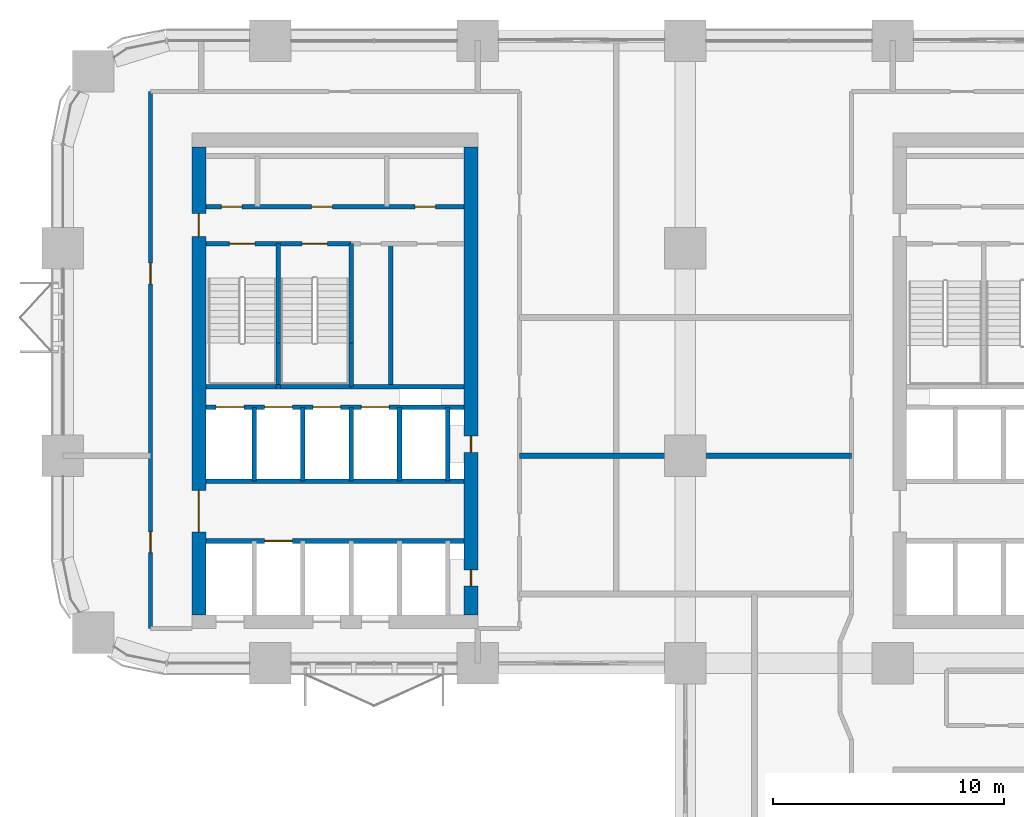
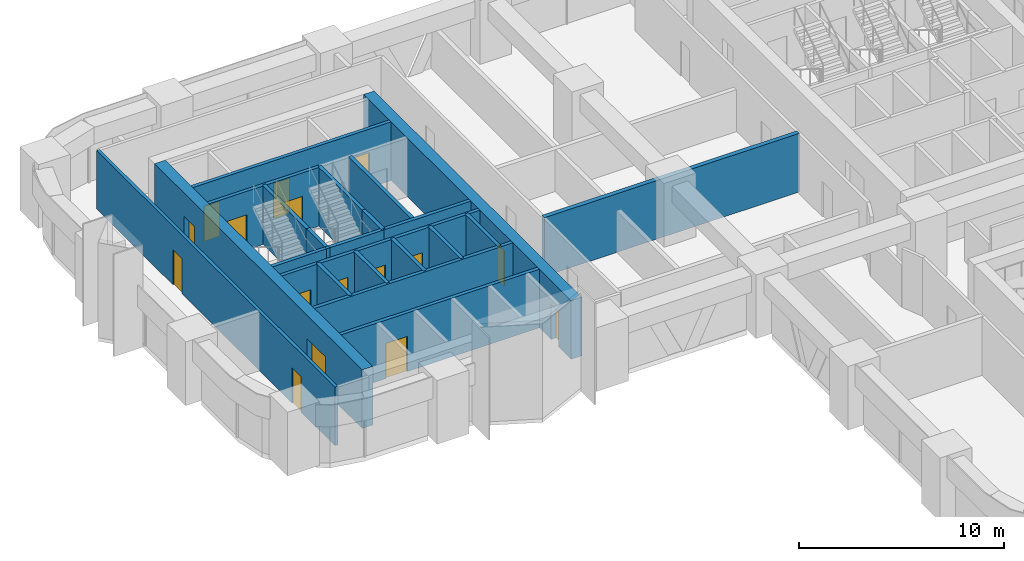
# One storey, part 13 of 18: 23 walls, 16 doors, 16 openings.
"""IFC4 building model written with IfcOpenShell, lengths in metres."""

from ifc_helpers import new_model, si_unit, direction, frame, frame_2d, origin, place, context, subcontext, project, spatial, rectangle, extrude, material, layer, layer_set, type_object, element, fill, save


model = new_model("IFC4")

# Units and contexts
model_context = context("Model", 3, precision=1e-05, world=origin(), true_north=direction((0.0, 1.0)))
body_context = subcontext(model_context, "Body", "Model", "MODEL_VIEW")
ifc_project = project(units=[si_unit("LENGTHUNIT", "METRE"), si_unit("AREAUNIT", "SQUARE_METRE"), si_unit("VOLUMEUNIT", "CUBIC_METRE"), si_unit("PLANEANGLEUNIT", "RADIAN"), si_unit("MASSUNIT", "GRAM", prefix="KILO")], contexts=[model_context])

# Site, building, storey
site_placement = place(None, origin())
site = spatial("IfcSite", under=ifc_project, at=site_placement, CompositionType="ELEMENT")
building_placement = place(site_placement, origin())
building = spatial("IfcBuilding", under=site, at=building_placement, Name="Tessera Arch", CompositionType="ELEMENT")
storey_placement = place(building_placement, frame((0.0, 0.0, 115.800048828125)))
storey = spatial("IfcBuildingStorey", under=building, at=storey_placement, Name="L27", CompositionType="ELEMENT", Elevation=115.800048828125)

# Wall
ifc_material_1 = material(Name="Gypsum board on steel stud", Category="steel")
ifc_layer_1 = layer(ifc_material_1, 0.125)
ifc_layer_set_1 = layer_set([ifc_layer_1], Name="Core partition 125 EI 60")
wall_type_1 = type_object("IfcWallType", Name="Core partition 125 EI 60", PredefinedType="PARTITIONING", material=ifc_layer_set_1)
wall_1_placement = place(storey_placement, frame((14.215087890625, 39.0, 0.0), z_axis=(0.0, 0.0, 1.0), x_axis=(0.0, 1.0, 0.0)))
element("IfcWall", 1, at=wall_1_placement, inside=storey, type_object=wall_type_1, Name="L27 C2 partition wall 13", PredefinedType="PARTITIONING", context=body_context, shape_type="SweptSolid", body=[
    extrude(rectangle(XDim=6.199951171875, YDim=0.199951171875, at=frame_2d((3.10009765625, 0.0))), origin(), (0.0, 0.0, 1.0), 3.5),
])

# Wall, openings, doors
wall_2_placement = place(storey_placement, frame((6.199951171875, 46.800048828125, 0.0), z_axis=(0.0, 0.0, 1.0), x_axis=(1.0, 0.0, 0.0)))
wall_2 = element("IfcWall", 2, at=wall_2_placement, inside=storey, type_object=wall_type_1, Name="L27 C2 partition wall 27", PredefinedType="PARTITIONING", context=body_context, shape_type="SweptSolid", body=[
    extrude(rectangle(XDim=11.199951171875, YDim=0.199951171875, at=frame_2d((5.60009765625, 0.0))), origin(), (0.0, 0.0, 1.0), 3.5),
])
opening_1_placement = place(wall_2_placement, frame((0.669921875, 0.0, 0.0)))
opening_1 = element("IfcOpeningElement", 3, at=opening_1_placement, cuts=wall_2, Name="Opening L27-C28", PredefinedType="OPENING", context=body_context, shape_type="SweptSolid", body=[
    extrude(rectangle(XDim=0.89990234375, YDim=2.10009765625, at=frame_2d((0.449951171875, 1.050048828125))), frame((0.0, 0.10986328125, 0.0), z_axis=(0.0, -1.0, 0.0), x_axis=(1.0, 0.0, 0.0)), (0.0, 0.0, 1.0), 0.219970703125),
])
opening_2_placement = place(wall_2_placement, frame((4.590087890625, 0.0, 0.0)))
opening_2 = element("IfcOpeningElement", 4, at=opening_2_placement, cuts=wall_2, Name="Opening L27-C29", PredefinedType="OPENING", context=body_context, shape_type="SweptSolid", body=[
    extrude(rectangle(XDim=0.89990234375, YDim=2.10009765625, at=frame_2d((0.449951171875, 1.050048828125))), frame((0.0, 0.10986328125, 0.0), z_axis=(0.0, -1.0, 0.0), x_axis=(1.0, 0.0, 0.0)), (0.0, 0.0, 1.0), 0.219970703125),
])
opening_3_placement = place(wall_2_placement, frame((9.070068359375, 0.0, 0.0)))
opening_3 = element("IfcOpeningElement", 5, at=opening_3_placement, cuts=wall_2, Name="Opening L27-C30", PredefinedType="OPENING", context=body_context, shape_type="SweptSolid", body=[
    extrude(rectangle(XDim=0.89990234375, YDim=2.10009765625, at=frame_2d((0.449951171875, 1.050048828125))), frame((0.0, 0.10986328125, 0.0), z_axis=(0.0, -1.0, 0.0), x_axis=(1.0, 0.0, 0.0)), (0.0, 0.0, 1.0), 0.219970703125),
])
ifc_material_2 = material(Name="Steel door leaf", Category="steel")
door_type_1 = type_object("IfcDoorType", Name="Store door FD30S 900 x 2100", OperationType="SINGLE_SWING_LEFT", PredefinedType="DOOR", material=ifc_material_2)
door_1_placement = place(opening_1_placement, origin())
door_1 = element("IfcDoor", 6, at=door_1_placement, inside=storey, type_object=door_type_1, Name="L27 C2 door 15 C28 type D09", OperationType="SINGLE_SWING_LEFT", OverallHeight=2.10009765625, OverallWidth=0.89990234375, PredefinedType="DOOR", context=body_context, shape_type="SweptSolid", body=[
    extrude(rectangle(XDim=0.89990234375, YDim=2.10009765625, at=frame_2d((0.449951171875, 1.050048828125))), frame((0.0, 0.02490234375, 0.0), z_axis=(0.0, -1.0, 0.0), x_axis=(1.0, 0.0, 0.0)), (0.0, 0.0, 1.0), 0.050048828125),
])
fill(opening_1, door_1)
door_2_placement = place(opening_2_placement, origin())
door_2 = element("IfcDoor", 7, at=door_2_placement, inside=storey, type_object=door_type_1, Name="L27 C2 door 16 C29 type D09", OperationType="SINGLE_SWING_LEFT", OverallHeight=2.10009765625, OverallWidth=0.89990234375, PredefinedType="DOOR", context=body_context, shape_type="SweptSolid", body=[
    extrude(rectangle(XDim=0.89990234375, YDim=2.10009765625, at=frame_2d((0.449951171875, 1.050048828125))), frame((0.0, 0.02490234375, 0.0), z_axis=(0.0, -1.0, 0.0), x_axis=(1.0, 0.0, 0.0)), (0.0, 0.0, 1.0), 0.050048828125),
])
fill(opening_2, door_2)
door_3_placement = place(opening_3_placement, origin())
door_3 = element("IfcDoor", 8, at=door_3_placement, inside=storey, type_object=door_type_1, Name="L27 C2 door 17 C30 type D09", OperationType="SINGLE_SWING_RIGHT", OverallHeight=2.10009765625, OverallWidth=0.89990234375, PredefinedType="DOOR", context=body_context, shape_type="SweptSolid", body=[
    extrude(rectangle(XDim=0.89990234375, YDim=2.10009765625, at=frame_2d((0.449951171875, 1.050048828125))), frame((0.0, 0.02490234375, 0.0), z_axis=(0.0, -1.0, 0.0), x_axis=(1.0, 0.0, 0.0)), (0.0, 0.0, 1.0), 0.050048828125),
])
fill(opening_3, door_3)

ifc_material_3 = material(Name="Concrete C70/85", Category="concrete")
ifc_layer_2 = layer(ifc_material_3, 0.60009765625)
ifc_layer_set_2 = layer_set([ifc_layer_2], Name="Core shell wall 600 C70-85")
wall_type_2 = type_object("IfcWallType", Name="Core shell wall 600 C70-85", PredefinedType="SHEAR", material=ifc_layer_set_2)
wall_3_placement = place(storey_placement, frame((5.89990234375, 29.10009765625, 0.0), z_axis=(0.0, 0.0, 1.0), x_axis=(0.0, 1.0, 0.0)))
wall_3 = element("IfcWall", 9, at=wall_3_placement, inside=storey, type_object=wall_type_2, Name="L27 C2 core wall W", PredefinedType="SHEAR", context=body_context, shape_type="SweptSolid", body=[
    extrude(rectangle(XDim=20.2998046875, YDim=0.60009765625, at=frame_2d((10.14990234375, 0.0))), origin(), (0.0, 0.0, 1.0), 3.5),
])
opening_4_placement = place(wall_3_placement, frame((3.60009765625, 0.0, 0.0)))
opening_4 = element("IfcOpeningElement", 10, at=opening_4_placement, cuts=wall_3, Name="Opening L27-C24", PredefinedType="OPENING", context=body_context, shape_type="SweptSolid", body=[
    extrude(rectangle(XDim=1.800048828125, YDim=2.10009765625, at=frame_2d((0.89990234375, 1.050048828125))), frame((0.0, 0.31005859375, 0.0), z_axis=(0.0, -1.0, 0.0), x_axis=(1.0, 0.0, 0.0)), (0.0, 0.0, 1.0), 0.6201171875),
])
opening_5_placement = place(wall_3_placement, frame((16.39990234375, 0.0, 0.0)))
opening_5 = element("IfcOpeningElement", 11, at=opening_5_placement, cuts=wall_3, Name="Opening L27-C27", PredefinedType="OPENING", context=body_context, shape_type="SweptSolid", body=[
    extrude(rectangle(XDim=1.0, YDim=2.10009765625, at=frame_2d((0.5, 1.050048828125))), frame((0.0, 0.31005859375, 0.0), z_axis=(0.0, -1.0, 0.0), x_axis=(1.0, 0.0, 0.0)), (0.0, 0.0, 1.0), 0.6201171875),
])
ifc_material_4 = material(Name="Steel door leaf", Category="steel")
door_type_2 = type_object("IfcDoorType", Name="Corridor door FD60 1000 x 2100", OperationType="SINGLE_SWING_LEFT", PredefinedType="DOOR", material=ifc_material_4)
door_4_placement = place(opening_5_placement, origin())
door_4 = element("IfcDoor", 12, at=door_4_placement, inside=storey, type_object=door_type_2, Name="L27 C2 door 14 C27 type D12", OperationType="SINGLE_SWING_RIGHT", OverallHeight=2.10009765625, OverallWidth=1.0, PredefinedType="DOOR", context=body_context, shape_type="SweptSolid", body=[
    extrude(rectangle(XDim=1.0, YDim=2.10009765625, at=frame_2d((0.5, 1.050048828125))), frame((0.0, 0.02490234375, 0.0), z_axis=(0.0, -1.0, 0.0), x_axis=(1.0, 0.0, 0.0)), (0.0, 0.0, 1.0), 0.050048828125),
])
fill(opening_5, door_4)
ifc_material_5 = material(Name="Glazed steel door leaf", Category="steel")
door_type_3 = type_object("IfcDoorType", Name="Lobby double door FD30S 1800 x 2100", OperationType="DOUBLE_DOOR_SINGLE_SWING", PredefinedType="DOOR", material=ifc_material_5)
door_5_placement = place(opening_4_placement, origin())
door_5 = element("IfcDoor", 13, at=door_5_placement, inside=storey, type_object=door_type_3, Name="L27 C2 door 11 C24 type D06", OperationType="DOUBLE_DOOR_SINGLE_SWING", OverallHeight=2.10009765625, OverallWidth=1.800048828125, PredefinedType="DOOR", context=body_context, shape_type="SweptSolid", body=[
    extrude(rectangle(XDim=1.800048828125, YDim=2.10009765625, at=frame_2d((0.89990234375, 1.050048828125))), frame((0.0, 0.02490234375, 0.0), z_axis=(0.0, -1.0, 0.0), x_axis=(1.0, 0.0, 0.0)), (0.0, 0.0, 1.0), 0.050048828125),
])
fill(opening_4, door_5)

wall_4_placement = place(storey_placement, frame((17.699951171875, 29.10009765625, 0.0), z_axis=(0.0, 0.0, 1.0), x_axis=(0.0, 1.0, 0.0)))
wall_4 = element("IfcWall", 14, at=wall_4_placement, inside=storey, type_object=wall_type_2, Name="L27 C2 core wall E", PredefinedType="SHEAR", context=body_context, shape_type="SweptSolid", body=[
    extrude(rectangle(XDim=20.2998046875, YDim=0.60009765625, at=frame_2d((10.14990234375, 0.0))), origin(), (0.0, 0.0, 1.0), 3.5),
])
opening_6_placement = place(wall_4_placement, frame((1.25, 0.0, 0.0)))
opening_6 = element("IfcOpeningElement", 15, at=opening_6_placement, cuts=wall_4, Name="Opening L27-C22", PredefinedType="OPENING", context=body_context, shape_type="SweptSolid", body=[
    extrude(rectangle(XDim=0.699951171875, YDim=2.10009765625, at=frame_2d((0.35009765625, 1.050048828125))), frame((0.0, 0.31005859375, 0.0), z_axis=(0.0, -1.0, 0.0), x_axis=(1.0, 0.0, 0.0)), (0.0, 0.0, 1.0), 0.6201171875),
])
opening_7_placement = place(wall_4_placement, frame((7.050048828125, 0.0, 0.0)))
opening_7 = element("IfcOpeningElement", 16, at=opening_7_placement, cuts=wall_4, Name="Opening L27-C23", PredefinedType="OPENING", context=body_context, shape_type="SweptSolid", body=[
    extrude(rectangle(XDim=0.699951171875, YDim=2.10009765625, at=frame_2d((0.35009765625, 1.050048828125))), frame((0.0, 0.31005859375, 0.0), z_axis=(0.0, -1.0, 0.0), x_axis=(1.0, 0.0, 0.0)), (0.0, 0.0, 1.0), 0.6201171875),
])
ifc_material_6 = material(Name="Steel door leaf", Category="steel")
door_type_4 = type_object("IfcDoorType", Name="Service shaft door FD60 700 x 2100", OperationType="SINGLE_SWING_LEFT", PredefinedType="DOOR", material=ifc_material_6)
door_6_placement = place(opening_6_placement, origin())
door_6 = element("IfcDoor", 17, at=door_6_placement, inside=storey, type_object=door_type_4, Name="L27 C2 door 9 C22 type D07", OperationType="SINGLE_SWING_LEFT", OverallHeight=2.10009765625, OverallWidth=0.699951171875, PredefinedType="DOOR", context=body_context, shape_type="SweptSolid", body=[
    extrude(rectangle(XDim=0.699951171875, YDim=2.10009765625, at=frame_2d((0.35009765625, 1.050048828125))), frame((0.0, 0.02490234375, 0.0), z_axis=(0.0, -1.0, 0.0), x_axis=(1.0, 0.0, 0.0)), (0.0, 0.0, 1.0), 0.050048828125),
])
fill(opening_6, door_6)
door_7_placement = place(opening_7_placement, origin())
door_7 = element("IfcDoor", 18, at=door_7_placement, inside=storey, type_object=door_type_4, Name="L27 C2 door 10 C23 type D07", OperationType="SINGLE_SWING_LEFT", OverallHeight=2.10009765625, OverallWidth=0.699951171875, PredefinedType="DOOR", context=body_context, shape_type="SweptSolid", body=[
    extrude(rectangle(XDim=0.699951171875, YDim=2.10009765625, at=frame_2d((0.35009765625, 1.050048828125))), frame((0.0, 0.02490234375, 0.0), z_axis=(0.0, -1.0, 0.0), x_axis=(1.0, 0.0, 0.0)), (0.0, 0.0, 1.0), 0.050048828125),
])
fill(opening_7, door_7)

ifc_material_7 = material(Name="Gypsum board on deep steel stud with mineral wool", Category="steel")
ifc_layer_3 = layer(ifc_material_7, 0.175048828125)
ifc_layer_set_3 = layer_set([ifc_layer_3], Name="Corridor wall 175 EI 60")
wall_type_3 = type_object("IfcWallType", Name="Corridor wall 175 EI 60", PredefinedType="PARTITIONING", material=ifc_layer_set_3)
wall_5_placement = place(storey_placement, frame((3.800048828125, 28.5, 0.0), z_axis=(0.0, 0.0, 1.0), x_axis=(0.0, 1.0, 0.0)))
wall_5 = element("IfcWall", 19, at=wall_5_placement, inside=storey, type_object=wall_type_3, Name="L27 partition 10", PredefinedType="PARTITIONING", context=body_context, shape_type="SweptSolid", body=[
    extrude(rectangle(XDim=23.300048828125, YDim=0.175048828125, at=frame_2d((11.64990234375, 0.0))), origin(), (0.0, 0.0, 1.0), 3.5),
])
opening_8_placement = place(wall_5_placement, frame((3.300048828125, 0.0, 0.0)))
opening_8 = element("IfcOpeningElement", 20, at=opening_8_placement, cuts=wall_5, Name="Opening L27-D008", PredefinedType="OPENING", context=body_context, shape_type="SweptSolid", body=[
    extrude(rectangle(XDim=0.89990234375, YDim=2.10009765625, at=frame_2d((0.449951171875, 1.050048828125))), frame((0.0, 0.097412109375, 0.0), z_axis=(0.0, -1.0, 0.0), x_axis=(1.0, 0.0, 0.0)), (0.0, 0.0, 1.0), 0.195068359375),
])
opening_9_placement = place(wall_5_placement, frame((14.949951171875, 0.0, 0.0)))
opening_9 = element("IfcOpeningElement", 21, at=opening_9_placement, cuts=wall_5, Name="Opening L27-D015", PredefinedType="OPENING", context=body_context, shape_type="SweptSolid", body=[
    extrude(rectangle(XDim=0.89990234375, YDim=2.10009765625, at=frame_2d((0.449951171875, 1.050048828125))), frame((0.0, 0.097412109375, 0.0), z_axis=(0.0, -1.0, 0.0), x_axis=(1.0, 0.0, 0.0)), (0.0, 0.0, 1.0), 0.195068359375),
])
ifc_material_8 = material(Name="Timber door leaf", Category="wood")
door_type_5 = type_object("IfcDoorType", Name="Room door 900 x 2100", OperationType="SINGLE_SWING_LEFT", PredefinedType="DOOR", material=ifc_material_8)
door_8_placement = place(opening_8_placement, origin())
door_8 = element("IfcDoor", 22, at=door_8_placement, inside=storey, type_object=door_type_5, Name="L27 door D008 type D01", OperationType="SINGLE_SWING_RIGHT", OverallHeight=2.10009765625, OverallWidth=0.89990234375, PredefinedType="DOOR", context=body_context, shape_type="SweptSolid", body=[
    extrude(rectangle(XDim=0.89990234375, YDim=2.10009765625, at=frame_2d((0.449951171875, 1.050048828125))), frame((0.0, 0.02490234375, 0.0), z_axis=(0.0, -1.0, 0.0), x_axis=(1.0, 0.0, 0.0)), (0.0, 0.0, 1.0), 0.050048828125),
])
fill(opening_8, door_8)
door_9_placement = place(opening_9_placement, origin())
door_9 = element("IfcDoor", 23, at=door_9_placement, inside=storey, type_object=door_type_5, Name="L27 door D015 type D01", OperationType="SINGLE_SWING_LEFT", OverallHeight=2.10009765625, OverallWidth=0.89990234375, PredefinedType="DOOR", context=body_context, shape_type="SweptSolid", body=[
    extrude(rectangle(XDim=0.89990234375, YDim=2.10009765625, at=frame_2d((0.449951171875, 1.050048828125))), frame((0.0, 0.02490234375, 0.0), z_axis=(0.0, -1.0, 0.0), x_axis=(1.0, 0.0, 0.0)), (0.0, 0.0, 1.0), 0.050048828125),
])
fill(opening_9, door_9)

# Walls
ifc_material_9 = material(Name="Double gypsum board on twin steel stud with acoustic mineral wool", Category="steel")
ifc_layer_4 = layer(ifc_material_9, 0.25)
ifc_layer_set_4 = layer_set([ifc_layer_4], Name="Party wall 250 EI 60")
wall_type_4 = type_object("IfcWallType", Name="Party wall 250 EI 60", PredefinedType="PARTITIONING", material=ifc_layer_set_4)
wall_6_placement = place(storey_placement, frame((19.800048828125, 36.0, 0.0), z_axis=(0.0, 0.0, 1.0), x_axis=(1.0, 0.0, 0.0)))
element("IfcWall", 24, at=wall_6_placement, inside=storey, type_object=wall_type_4, Name="L27 partition 26", PredefinedType="PARTITIONING", context=body_context, shape_type="SweptSolid", body=[
    extrude(rectangle(XDim=14.39990234375, YDim=0.25, at=frame_2d((7.199951171875, 0.0))), origin(), (0.0, 0.0, 1.0), 3.5),
])
ifc_material_10 = material(Name="Concrete C40/50", Category="concrete")
ifc_layer_5 = layer(ifc_material_10, 0.199951171875)
ifc_layer_set_5 = layer_set([ifc_layer_5], Name="Shaft wall 200 EI 120")
wall_type_5 = type_object("IfcWallType", Name="Shaft wall 200 EI 120", PredefinedType="SOLIDWALL", material=ifc_layer_set_5)
for number, where, z_axis, x_axis, name in (
    (25, (8.300048828125, 34.89990234375, 0.0), (0.0, 0.0, 1.0), (0.0, 1.0, 0.0), "L27 C2 shaft wall 2"),
    (26, (10.39990234375, 34.89990234375, 0.0), (0.0, 0.0, 1.0), (0.0, 1.0, 0.0), "L27 C2 shaft wall 7"),
    (27, (12.5, 34.89990234375, 0.0), (0.0, 0.0, 1.0), (0.0, 1.0, 0.0), "L27 C2 shaft wall 9"),
    (28, (14.60009765625, 34.89990234375, 0.0), (0.0, 0.0, 1.0), (0.0, 1.0, 0.0), "L27 C2 shaft wall 15"),
    (29, (16.699951171875, 34.89990234375, 0.0), (0.0, 0.0, 1.0), (0.0, 1.0, 0.0), "L27 C2 shaft wall 17"),
):
    element("IfcWall", number, at=place(storey_placement, frame(where, z_axis=z_axis, x_axis=x_axis)), inside=storey, type_object=wall_type_5, Name=name, PredefinedType="SOLIDWALL", context=body_context, shape_type="SweptSolid", body=[
        extrude(rectangle(XDim=3.2001953125, YDim=0.199951171875, at=frame_2d((1.60009765625, 0.0))), origin(), (0.0, 0.0, 1.0), 3.5),
    ])

# Wall, opening, door
wall_7_placement = place(storey_placement, frame((6.199951171875, 32.300048828125, 0.0), z_axis=(0.0, 0.0, 1.0), x_axis=(1.0, 0.0, 0.0)))
wall_7 = element("IfcWall", 30, at=wall_7_placement, inside=storey, type_object=wall_type_5, Name="L27 C2 shaft wall 18", PredefinedType="SOLIDWALL", context=body_context, shape_type="SweptSolid", body=[
    extrude(rectangle(XDim=11.199951171875, YDim=0.199951171875, at=frame_2d((5.60009765625, 0.0))), origin(), (0.0, 0.0, 1.0), 3.5),
])
opening_10_placement = place(wall_7_placement, frame((2.550048828125, 0.0, 0.0)))
opening_10 = element("IfcOpeningElement", 31, at=opening_10_placement, cuts=wall_7, Name="Opening L27-C15", PredefinedType="OPENING", context=body_context, shape_type="SweptSolid", body=[
    extrude(rectangle(XDim=1.199951171875, YDim=2.10009765625, at=frame_2d((0.60009765625, 1.050048828125))), frame((0.0, 0.10986328125, 0.0), z_axis=(0.0, -1.0, 0.0), x_axis=(1.0, 0.0, 0.0)), (0.0, 0.0, 1.0), 0.219970703125),
])
ifc_material_11 = material(Name="Stainless steel AISI 304", Category="steel")
door_type_6 = type_object("IfcDoorType", Name="Sliding landing door 1200 x 2100", OperationType="SLIDING_TO_LEFT", PredefinedType="DOOR", material=ifc_material_11)
door_10_placement = place(opening_10_placement, origin())
door_10 = element("IfcDoor", 32, at=door_10_placement, inside=storey, type_object=door_type_6, Name="L27 LR2 lift landing door C15 type LD", OperationType="SLIDING_TO_LEFT", OverallHeight=2.10009765625, OverallWidth=1.199951171875, PredefinedType="DOOR", context=body_context, shape_type="SweptSolid", body=[
    extrude(rectangle(XDim=1.199951171875, YDim=2.10009765625, at=frame_2d((0.60009765625, 1.050048828125))), frame((0.0, 0.02490234375, 0.0), z_axis=(0.0, -1.0, 0.0), x_axis=(1.0, 0.0, 0.0)), (0.0, 0.0, 1.0), 0.050048828125),
])
fill(opening_10, door_10)

# Wall
wall_8_placement = place(storey_placement, frame((6.199951171875, 34.89990234375, 0.0), z_axis=(0.0, 0.0, 1.0), x_axis=(1.0, 0.0, 0.0)))
element("IfcWall", 33, at=wall_8_placement, inside=storey, type_object=wall_type_5, Name="L27 C2 shaft wall 19", PredefinedType="SOLIDWALL", context=body_context, shape_type="SweptSolid", body=[
    extrude(rectangle(XDim=11.199951171875, YDim=0.199951171875, at=frame_2d((5.60009765625, 0.0))), origin(), (0.0, 0.0, 1.0), 3.5),
])

# Wall, openings, doors
wall_9_placement = place(storey_placement, frame((6.199951171875, 38.10009765625, 0.0), z_axis=(0.0, 0.0, 1.0), x_axis=(1.0, 0.0, 0.0)))
wall_9 = element("IfcWall", 34, at=wall_9_placement, inside=storey, type_object=wall_type_5, Name="L27 C2 shaft wall 20", PredefinedType="SOLIDWALL", context=body_context, shape_type="SweptSolid", body=[
    extrude(rectangle(XDim=11.199951171875, YDim=0.199951171875, at=frame_2d((5.60009765625, 0.0))), origin(), (0.0, 0.0, 1.0), 3.5),
])
opening_11_placement = place(wall_9_placement, frame((0.449951171875, 0.0, 0.0)))
opening_11 = element("IfcOpeningElement", 35, at=opening_11_placement, cuts=wall_9, Name="Opening L27-C18", PredefinedType="OPENING", context=body_context, shape_type="SweptSolid", body=[
    extrude(rectangle(XDim=1.199951171875, YDim=2.10009765625, at=frame_2d((0.60009765625, 1.050048828125))), frame((0.0, 0.10986328125, 0.0), z_axis=(0.0, -1.0, 0.0), x_axis=(1.0, 0.0, 0.0)), (0.0, 0.0, 1.0), 0.219970703125),
])
opening_12_placement = place(wall_9_placement, frame((2.550048828125, 0.0, 0.0)))
opening_12 = element("IfcOpeningElement", 36, at=opening_12_placement, cuts=wall_9, Name="Opening L27-C19", PredefinedType="OPENING", context=body_context, shape_type="SweptSolid", body=[
    extrude(rectangle(XDim=1.199951171875, YDim=2.10009765625, at=frame_2d((0.60009765625, 1.050048828125))), frame((0.0, 0.10986328125, 0.0), z_axis=(0.0, -1.0, 0.0), x_axis=(1.0, 0.0, 0.0)), (0.0, 0.0, 1.0), 0.219970703125),
])
opening_13_placement = place(wall_9_placement, frame((4.64990234375, 0.0, 0.0)))
opening_13 = element("IfcOpeningElement", 37, at=opening_13_placement, cuts=wall_9, Name="Opening L27-C20", PredefinedType="OPENING", context=body_context, shape_type="SweptSolid", body=[
    extrude(rectangle(XDim=1.199951171875, YDim=2.10009765625, at=frame_2d((0.60009765625, 1.050048828125))), frame((0.0, 0.10986328125, 0.0), z_axis=(0.0, -1.0, 0.0), x_axis=(1.0, 0.0, 0.0)), (0.0, 0.0, 1.0), 0.219970703125),
])
opening_14_placement = place(wall_9_placement, frame((6.75, 0.0, 0.0)))
opening_14 = element("IfcOpeningElement", 38, at=opening_14_placement, cuts=wall_9, Name="Opening L27-C21", PredefinedType="OPENING", context=body_context, shape_type="SweptSolid", body=[
    extrude(rectangle(XDim=1.199951171875, YDim=2.10009765625, at=frame_2d((0.60009765625, 1.050048828125))), frame((0.0, 0.10986328125, 0.0), z_axis=(0.0, -1.0, 0.0), x_axis=(1.0, 0.0, 0.0)), (0.0, 0.0, 1.0), 0.219970703125),
])
door_11_placement = place(opening_11_placement, origin())
door_11 = element("IfcDoor", 39, at=door_11_placement, inside=storey, type_object=door_type_6, Name="L27 LR5 lift landing door C18 type LD", OperationType="SLIDING_TO_LEFT", OverallHeight=2.10009765625, OverallWidth=1.199951171875, PredefinedType="DOOR", context=body_context, shape_type="SweptSolid", body=[
    extrude(rectangle(XDim=1.199951171875, YDim=2.10009765625, at=frame_2d((0.60009765625, 1.050048828125))), frame((0.0, 0.02490234375, 0.0), z_axis=(0.0, -1.0, 0.0), x_axis=(1.0, 0.0, 0.0)), (0.0, 0.0, 1.0), 0.050048828125),
])
fill(opening_11, door_11)
door_12_placement = place(opening_12_placement, origin())
door_12 = element("IfcDoor", 40, at=door_12_placement, inside=storey, type_object=door_type_6, Name="L27 LR6 lift landing door C19 type LD", OperationType="SLIDING_TO_LEFT", OverallHeight=2.10009765625, OverallWidth=1.199951171875, PredefinedType="DOOR", context=body_context, shape_type="SweptSolid", body=[
    extrude(rectangle(XDim=1.199951171875, YDim=2.10009765625, at=frame_2d((0.60009765625, 1.050048828125))), frame((0.0, 0.02490234375, 0.0), z_axis=(0.0, -1.0, 0.0), x_axis=(1.0, 0.0, 0.0)), (0.0, 0.0, 1.0), 0.050048828125),
])
fill(opening_12, door_12)
door_13_placement = place(opening_13_placement, origin())
door_13 = element("IfcDoor", 41, at=door_13_placement, inside=storey, type_object=door_type_6, Name="L27 LR7 lift landing door C20 type LD", OperationType="SLIDING_TO_LEFT", OverallHeight=2.10009765625, OverallWidth=1.199951171875, PredefinedType="DOOR", context=body_context, shape_type="SweptSolid", body=[
    extrude(rectangle(XDim=1.199951171875, YDim=2.10009765625, at=frame_2d((0.60009765625, 1.050048828125))), frame((0.0, 0.02490234375, 0.0), z_axis=(0.0, -1.0, 0.0), x_axis=(1.0, 0.0, 0.0)), (0.0, 0.0, 1.0), 0.050048828125),
])
fill(opening_13, door_13)
door_14_placement = place(opening_14_placement, origin())
door_14 = element("IfcDoor", 42, at=door_14_placement, inside=storey, type_object=door_type_6, Name="L27 LR8 lift landing door C21 type LD", OperationType="SLIDING_TO_LEFT", OverallHeight=2.10009765625, OverallWidth=1.199951171875, PredefinedType="DOOR", context=body_context, shape_type="SweptSolid", body=[
    extrude(rectangle(XDim=1.199951171875, YDim=2.10009765625, at=frame_2d((0.60009765625, 1.050048828125))), frame((0.0, 0.02490234375, 0.0), z_axis=(0.0, -1.0, 0.0), x_axis=(1.0, 0.0, 0.0)), (0.0, 0.0, 1.0), 0.050048828125),
])
fill(opening_14, door_14)

# Walls
wall_10_placement = place(storey_placement, frame((12.5, 39.0, 0.0), z_axis=(0.0, 0.0, 1.0), x_axis=(1.0, 0.0, 0.0)))
element("IfcWall", 43, at=wall_10_placement, inside=storey, type_object=wall_type_5, Name="L27 C2 shaft wall 21", PredefinedType="SOLIDWALL", context=body_context, shape_type="SweptSolid", body=[
    extrude(rectangle(XDim=4.89990234375, YDim=0.199951171875, at=frame_2d((2.449951171875, 0.0))), origin(), (0.0, 0.0, 1.0), 3.5),
])
ifc_material_12 = material(Name="Concrete C40/50", Category="concrete")
ifc_layer_6 = layer(ifc_material_12, 0.199951171875)
ifc_layer_set_6 = layer_set([ifc_layer_6], Name="Stair well wall 200 REI 180")
wall_type_6 = type_object("IfcWallType", Name="Stair well wall 200 REI 180", PredefinedType="SOLIDWALL", material=ifc_layer_set_6)
wall_11_placement = place(storey_placement, frame((9.35009765625, 39.0, 0.0), z_axis=(0.0, 0.0, 1.0), x_axis=(0.0, 1.0, 0.0)))
element("IfcWall", 44, at=wall_11_placement, inside=storey, type_object=wall_type_6, Name="L27 C2 shaft wall 4", PredefinedType="SOLIDWALL", context=body_context, shape_type="SweptSolid", body=[
    extrude(rectangle(XDim=1.89990234375, YDim=0.199951171875, at=frame_2d((0.949951171875, 0.0))), origin(), (0.0, 0.0, 1.0), 3.5),
])
wall_12_placement = place(storey_placement, frame((9.35009765625, 40.89990234375, 0.0), z_axis=(0.0, 0.0, 1.0), x_axis=(0.0, 1.0, 0.0)))
element("IfcWall", 45, at=wall_12_placement, inside=storey, type_object=wall_type_6, Name="L27 C2 shaft wall 5", PredefinedType="SOLIDWALL", context=body_context, shape_type="SweptSolid", body=[
    extrude(rectangle(XDim=4.300048828125, YDim=0.199951171875, at=frame_2d((2.14990234375, 0.0))), origin(), (0.0, 0.0, 1.0), 3.5),
])
wall_13_placement = place(storey_placement, frame((12.5, 39.0, 0.0), z_axis=(0.0, 0.0, 1.0), x_axis=(0.0, 1.0, 0.0)))
element("IfcWall", 46, at=wall_13_placement, inside=storey, type_object=wall_type_6, Name="L27 C2 shaft wall 10", PredefinedType="SOLIDWALL", context=body_context, shape_type="SweptSolid", body=[
    extrude(rectangle(XDim=1.89990234375, YDim=0.199951171875, at=frame_2d((0.949951171875, 0.0))), origin(), (0.0, 0.0, 1.0), 3.5),
])
wall_14_placement = place(storey_placement, frame((12.5, 40.89990234375, 0.0), z_axis=(0.0, 0.0, 1.0), x_axis=(0.0, 1.0, 0.0)))
element("IfcWall", 47, at=wall_14_placement, inside=storey, type_object=wall_type_6, Name="L27 C2 shaft wall 11", PredefinedType="SOLIDWALL", context=body_context, shape_type="SweptSolid", body=[
    extrude(rectangle(XDim=4.300048828125, YDim=0.199951171875, at=frame_2d((2.14990234375, 0.0))), origin(), (0.0, 0.0, 1.0), 3.5),
])
wall_15_placement = place(storey_placement, frame((6.199951171875, 39.0, 0.0), z_axis=(0.0, 0.0, 1.0), x_axis=(1.0, 0.0, 0.0)))
element("IfcWall", 48, at=wall_15_placement, inside=storey, type_object=wall_type_6, Name="L27 C2 shaft wall 22", PredefinedType="SOLIDWALL", context=body_context, shape_type="SweptSolid", body=[
    extrude(rectangle(XDim=3.050048828125, YDim=0.199951171875, at=frame_2d((1.52490234375, 0.0))), origin(), (0.0, 0.0, 1.0), 3.5),
])
wall_16_placement = place(storey_placement, frame((9.25, 39.0, 0.0), z_axis=(0.0, 0.0, 1.0), x_axis=(1.0, 0.0, 0.0)))
element("IfcWall", 49, at=wall_16_placement, inside=storey, type_object=wall_type_6, Name="L27 C2 shaft wall 23", PredefinedType="SOLIDWALL", context=body_context, shape_type="SweptSolid", body=[
    extrude(rectangle(XDim=0.199951171875, YDim=0.199951171875, at=frame_2d((0.10009765625, 0.0))), origin(), (0.0, 0.0, 1.0), 3.5),
])
wall_17_placement = place(storey_placement, frame((9.449951171875, 39.0, 0.0), z_axis=(0.0, 0.0, 1.0), x_axis=(1.0, 0.0, 0.0)))
element("IfcWall", 50, at=wall_17_placement, inside=storey, type_object=wall_type_6, Name="L27 C2 shaft wall 24", PredefinedType="SOLIDWALL", context=body_context, shape_type="SweptSolid", body=[
    extrude(rectangle(XDim=3.050048828125, YDim=0.199951171875, at=frame_2d((1.52490234375, 0.0))), origin(), (0.0, 0.0, 1.0), 3.5),
])

# Wall, openings, doors
wall_18_placement = place(storey_placement, frame((6.199951171875, 45.199951171875, 0.0), z_axis=(0.0, 0.0, 1.0), x_axis=(1.0, 0.0, 0.0)))
wall_18 = element("IfcWall", 51, at=wall_18_placement, inside=storey, type_object=wall_type_6, Name="L27 C2 shaft wall 26", PredefinedType="SOLIDWALL", context=body_context, shape_type="SweptSolid", body=[
    extrude(rectangle(XDim=6.300048828125, YDim=0.199951171875, at=frame_2d((3.14990234375, 0.0))), origin(), (0.0, 0.0, 1.0), 3.5),
])
opening_15_placement = place(wall_18_placement, frame((1.02490234375, 0.0, 0.0)))
opening_15 = element("IfcOpeningElement", 52, at=opening_15_placement, cuts=wall_18, Name="Opening L27-C25", PredefinedType="OPENING", context=body_context, shape_type="SweptSolid", body=[
    extrude(rectangle(XDim=1.10009765625, YDim=2.10009765625, at=frame_2d((0.550048828125, 1.050048828125))), frame((0.0, 0.10986328125, 0.0), z_axis=(0.0, -1.0, 0.0), x_axis=(1.0, 0.0, 0.0)), (0.0, 0.0, 1.0), 0.219970703125),
])
opening_16_placement = place(wall_18_placement, frame((4.175048828125, 0.0, 0.0)))
opening_16 = element("IfcOpeningElement", 53, at=opening_16_placement, cuts=wall_18, Name="Opening L27-C26", PredefinedType="OPENING", context=body_context, shape_type="SweptSolid", body=[
    extrude(rectangle(XDim=1.10009765625, YDim=2.10009765625, at=frame_2d((0.550048828125, 1.050048828125))), frame((0.0, 0.10986328125, 0.0), z_axis=(0.0, -1.0, 0.0), x_axis=(1.0, 0.0, 0.0)), (0.0, 0.0, 1.0), 0.219970703125),
])
ifc_material_13 = material(Name="Steel door leaf", Category="steel")
door_type_7 = type_object("IfcDoorType", Name="Stair door FD60 1100 x 2100", OperationType="SINGLE_SWING_LEFT", PredefinedType="DOOR", material=ifc_material_13)
door_15_placement = place(opening_15_placement, origin())
door_15 = element("IfcDoor", 54, at=door_15_placement, inside=storey, type_object=door_type_7, Name="L27 C2 door 12 C25 type D05", OperationType="SINGLE_SWING_LEFT", OverallHeight=2.10009765625, OverallWidth=1.10009765625, PredefinedType="DOOR", context=body_context, shape_type="SweptSolid", body=[
    extrude(rectangle(XDim=1.10009765625, YDim=2.10009765625, at=frame_2d((0.550048828125, 1.050048828125))), frame((0.0, 0.02490234375, 0.0), z_axis=(0.0, -1.0, 0.0), x_axis=(1.0, 0.0, 0.0)), (0.0, 0.0, 1.0), 0.050048828125),
])
fill(opening_15, door_15)
door_16_placement = place(opening_16_placement, origin())
door_16 = element("IfcDoor", 55, at=door_16_placement, inside=storey, type_object=door_type_7, Name="L27 C2 door 13 C26 type D05", OperationType="SINGLE_SWING_RIGHT", OverallHeight=2.10009765625, OverallWidth=1.10009765625, PredefinedType="DOOR", context=body_context, shape_type="SweptSolid", body=[
    extrude(rectangle(XDim=1.10009765625, YDim=2.10009765625, at=frame_2d((0.550048828125, 1.050048828125))), frame((0.0, 0.02490234375, 0.0), z_axis=(0.0, -1.0, 0.0), x_axis=(1.0, 0.0, 0.0)), (0.0, 0.0, 1.0), 0.050048828125),
])
fill(opening_16, door_16)

save(model, "model.ifc")
